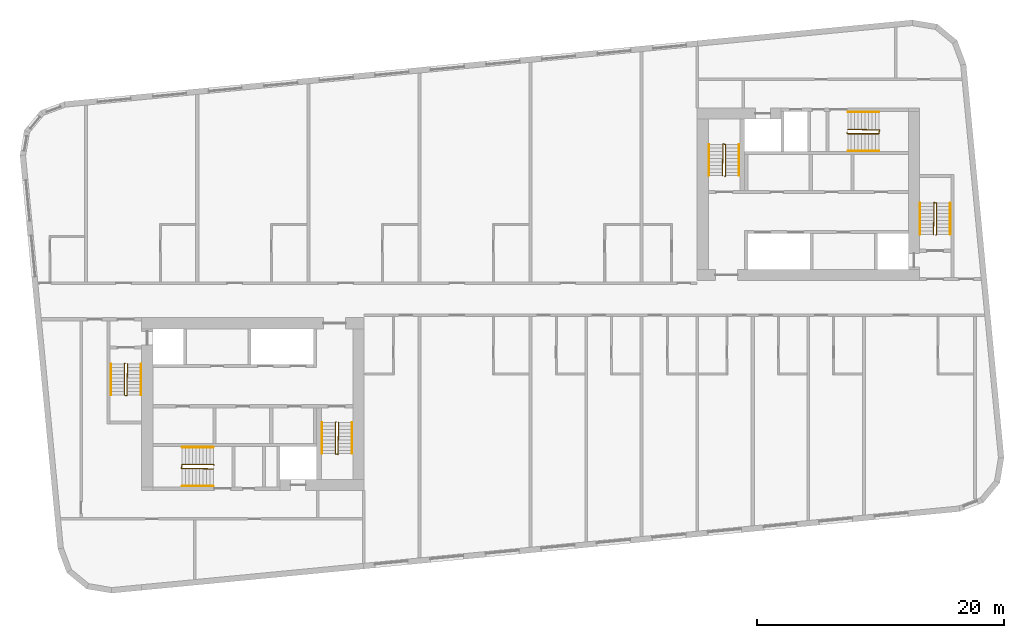
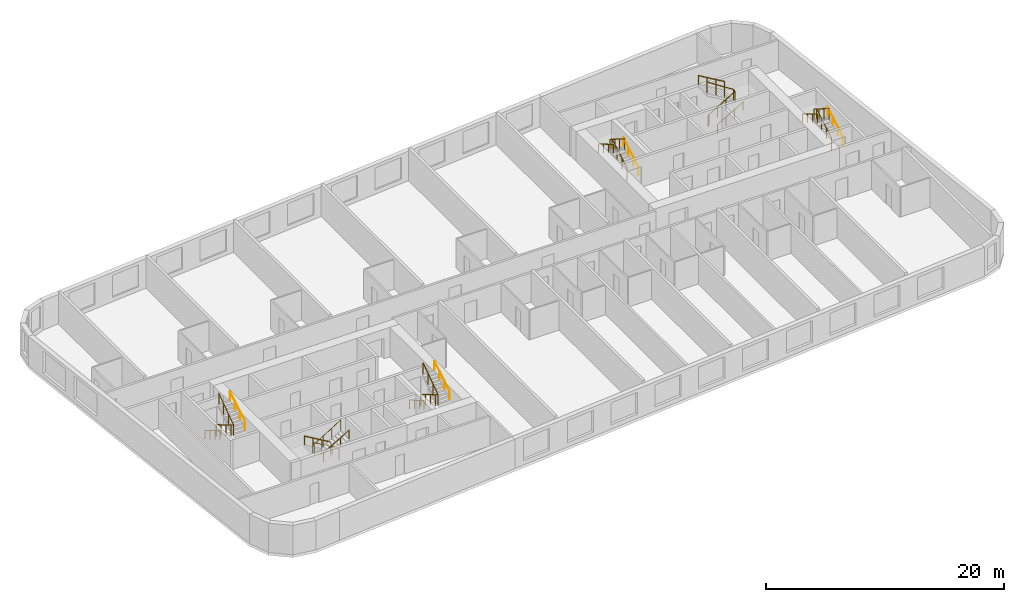
# One storey, part 11 of 11: 18 railings.
"""IFC4 building model written with IfcOpenShell, lengths in metres."""

from ifc_helpers import new_model, si_unit, direction, frame, origin, origin_2d, place, context, subcontext, project, spatial, circle, extrude, material, type_object, element, save


model = new_model("IFC4")

# Units and contexts
model_context = context("Model", 3, precision=1e-05, world=origin(), true_north=direction((0.0, 1.0)))
body_context = subcontext(model_context, "Body", "Model", "MODEL_VIEW")
ifc_project = project(units=[si_unit("LENGTHUNIT", "METRE"), si_unit("AREAUNIT", "SQUARE_METRE"), si_unit("VOLUMEUNIT", "CUBIC_METRE"), si_unit("PLANEANGLEUNIT", "RADIAN"), si_unit("MASSUNIT", "GRAM", prefix="KILO")], contexts=[model_context])

# Site, building, storey
site_placement = place(None, origin())
site = spatial("IfcSite", under=ifc_project, at=site_placement, CompositionType="ELEMENT")
building_placement = place(site_placement, origin())
building = spatial("IfcBuilding", under=site, at=building_placement, Name="Kajstack Hotel Tower", CompositionType="ELEMENT")
storey_placement = place(building_placement, frame((0.0, 0.0, 285.0)))
storey = spatial("IfcBuildingStorey", under=building, at=storey_placement, Name="L71", CompositionType="ELEMENT", Elevation=285.0)

# Railings
ifc_material = material(Name="Steel S355J2", Category="steel")
railing_type_1 = type_object("IfcRailingType", Name="Stair guard 1100", PredefinedType="GUARDRAIL", material=ifc_material)
railing_1_placement = place(storey_placement, frame((-32.85009765625, -5.199951171875, 0.0)))
element("IfcRailing", 1, at=railing_1_placement, inside=storey, type_object=railing_type_1, Name="L71 W1 stair guard 1", PredefinedType="GUARDRAIL", context=body_context, shape_type="SweptSolid", body=[
    extrude(circle(Radius=0.02392578125, at=origin_2d()), frame((0.0, 0.0, 1.076171875), z_axis=(-0.277450376394, -0.278810427259, 0.919394384522), x_axis=(0.708833529934, -0.705375805398, 0.0)), (0.0, 0.0, 1.0), 0.179443359375),
    extrude(circle(Radius=0.02392578125, at=origin_2d()), frame((-0.0498046875, -0.050048828125, 1.2412109375), z_axis=(0.0, -0.861560626758, 0.507654692109), x_axis=(1.0, 0.0, 0.0)), (0.0, 0.0, 1.0), 2.925048828125),
    extrude(circle(Radius=0.02392578125, at=origin_2d()), frame((-0.0498046875, -2.570068359375, 2.72607421875), z_axis=(0.970072785993, -0.242814311512, 0.0), x_axis=(0.242814311512, 0.970072785993, 0.0)), (0.0, 0.0, 1.0), 0.2060546875),
    extrude(circle(Radius=0.02392578125, at=origin_2d()), frame((0.150146484375, -2.6201171875, 2.72607421875), z_axis=(0.016384601254, 0.84136925563, 0.540212292087), x_axis=(-0.999810440751, 0.019470042781, 0.0)), (0.0, 0.0, 1.0), 3.0546875),
    extrude(circle(Radius=0.02099609375, at=origin_2d()), origin(), (0.0, 0.0, 1.0), 1.052001953125),
    extrude(circle(Radius=0.02099609375, at=origin_2d()), frame((-0.0498046875, -0.050048828125, 0.1650390625)), (0.0, 0.0, 1.0), 1.052001953125),
    extrude(circle(Radius=0.02099609375, at=origin_2d()), frame((-0.0498046875, -0.89013671875, 0.659912109375)), (0.0, 0.0, 1.0), 1.052001953125),
    extrude(circle(Radius=0.02099609375, at=origin_2d()), frame((-0.0498046875, -1.72998046875, 1.155029296875)), (0.0, 0.0, 1.0), 1.052001953125),
    extrude(circle(Radius=0.02099609375, at=origin_2d()), frame((-0.0498046875, -2.570068359375, 1.64990234375)), (0.0, 0.0, 1.0), 1.052001953125),
    extrude(circle(Radius=0.02099609375, at=origin_2d()), frame((0.150146484375, -2.6201171875, 1.64990234375)), (0.0, 0.0, 1.0), 1.052001953125),
    extrude(circle(Radius=0.02099609375, at=origin_2d()), frame((0.166748046875, -1.763427734375, 2.199951171875)), (0.0, 0.0, 1.0), 1.052001953125),
    extrude(circle(Radius=0.02099609375, at=origin_2d()), frame((0.18359375, -0.90673828125, 2.75)), (0.0, 0.0, 1.0), 1.052001953125),
    extrude(circle(Radius=0.02099609375, at=origin_2d()), frame((0.2001953125, -0.050048828125, 3.300048828125)), (0.0, 0.0, 1.0), 1.052001953125),
])
railing_2_placement = place(storey_placement, frame((-15.75, -9.949951171875, 0.0)))
element("IfcRailing", 2, at=railing_2_placement, inside=storey, type_object=railing_type_1, Name="L71 W2 stair guard 1", PredefinedType="GUARDRAIL", context=body_context, shape_type="SweptSolid", body=[
    extrude(circle(Radius=0.02392578125, at=origin_2d()), frame((0.0, 0.0, 1.076171875), z_axis=(-0.278705021027, -0.278705021027, 0.919046801044), x_axis=(0.707106781187, -0.707106781187, 0.0)), (0.0, 0.0, 1.0), 0.1796875),
    extrude(circle(Radius=0.02392578125, at=origin_2d()), frame((-0.050048828125, -0.050048828125, 1.2412109375), z_axis=(0.0, -0.861560626758, 0.507654692109), x_axis=(1.0, 0.0, 0.0)), (0.0, 0.0, 1.0), 2.925048828125),
    extrude(circle(Radius=0.02392578125, at=origin_2d()), frame((-0.050048828125, -2.570068359375, 2.72607421875), z_axis=(0.970072785993, -0.242814311512, 0.0), x_axis=(0.242814311512, 0.970072785993, 0.0)), (0.0, 0.0, 1.0), 0.2060546875),
    extrude(circle(Radius=0.02392578125, at=origin_2d()), frame((0.14990234375, -2.6201171875, 2.72607421875), z_axis=(0.016384601254, 0.84136925563, 0.540212292087), x_axis=(-0.999810440751, 0.019470042781, 0.0)), (0.0, 0.0, 1.0), 3.0546875),
    extrude(circle(Radius=0.02099609375, at=origin_2d()), origin(), (0.0, 0.0, 1.0), 1.052001953125),
    extrude(circle(Radius=0.02099609375, at=origin_2d()), frame((-0.050048828125, -0.050048828125, 0.1650390625)), (0.0, 0.0, 1.0), 1.052001953125),
    extrude(circle(Radius=0.02099609375, at=origin_2d()), frame((-0.050048828125, -0.89013671875, 0.659912109375)), (0.0, 0.0, 1.0), 1.052001953125),
    extrude(circle(Radius=0.02099609375, at=origin_2d()), frame((-0.050048828125, -1.72998046875, 1.155029296875)), (0.0, 0.0, 1.0), 1.052001953125),
    extrude(circle(Radius=0.02099609375, at=origin_2d()), frame((-0.050048828125, -2.570068359375, 1.64990234375)), (0.0, 0.0, 1.0), 1.052001953125),
    extrude(circle(Radius=0.02099609375, at=origin_2d()), frame((0.14990234375, -2.6201171875, 1.64990234375)), (0.0, 0.0, 1.0), 1.052001953125),
    extrude(circle(Radius=0.02099609375, at=origin_2d()), frame((0.16650390625, -1.763427734375, 2.199951171875)), (0.0, 0.0, 1.0), 1.052001953125),
    extrude(circle(Radius=0.02099609375, at=origin_2d()), frame((0.183349609375, -0.90673828125, 2.75)), (0.0, 0.0, 1.0), 1.052001953125),
    extrude(circle(Radius=0.02099609375, at=origin_2d()), frame((0.199951171875, -0.050048828125, 3.300048828125)), (0.0, 0.0, 1.0), 1.052001953125),
])
railing_3_placement = place(storey_placement, frame((-25.64990234375, -13.449951171875, 0.0)))
element("IfcRailing", 3, at=railing_3_placement, inside=storey, type_object=railing_type_1, Name="L71 W3 stair guard 1", PredefinedType="GUARDRAIL", context=body_context, shape_type="SweptSolid", body=[
    extrude(circle(Radius=0.02392578125, at=origin_2d()), frame((0.0, 0.0, 1.076171875), z_axis=(-0.278705021027, 0.278705021027, 0.919046801044), x_axis=(-0.707106781187, -0.707106781187, 0.0)), (0.0, 0.0, 1.0), 0.1796875),
    extrude(circle(Radius=0.02392578125, at=origin_2d()), frame((-0.050048828125, 0.050048828125, 1.2412109375), z_axis=(-0.861560626758, 0.0, 0.507654692109), x_axis=(0.0, -1.0, 0.0)), (0.0, 0.0, 1.0), 2.925048828125),
    extrude(circle(Radius=0.02392578125, at=origin_2d()), frame((-2.570068359375, 0.050048828125, 2.72607421875), z_axis=(-0.164529134168, -0.986372223864, 0.0), x_axis=(0.986372223864, -0.164529134168, 0.0)), (0.0, 0.0, 1.0), 0.30419921875),
    extrude(circle(Radius=0.02392578125, at=origin_2d()), frame((-2.6201171875, -0.25, 2.72607421875), z_axis=(0.84136925563, -0.016384601254, 0.540212292087), x_axis=(0.019470042781, 0.999810440751, 0.0)), (0.0, 0.0, 1.0), 3.0546875),
    extrude(circle(Radius=0.02099609375, at=origin_2d()), origin(), (0.0, 0.0, 1.0), 1.052001953125),
    extrude(circle(Radius=0.02099609375, at=origin_2d()), frame((-0.050048828125, 0.050048828125, 0.1650390625)), (0.0, 0.0, 1.0), 1.052001953125),
    extrude(circle(Radius=0.02099609375, at=origin_2d()), frame((-0.89013671875, 0.050048828125, 0.659912109375)), (0.0, 0.0, 1.0), 1.052001953125),
    extrude(circle(Radius=0.02099609375, at=origin_2d()), frame((-1.72998046875, 0.050048828125, 1.155029296875)), (0.0, 0.0, 1.0), 1.052001953125),
    extrude(circle(Radius=0.02099609375, at=origin_2d()), frame((-2.570068359375, 0.050048828125, 1.64990234375)), (0.0, 0.0, 1.0), 1.052001953125),
    extrude(circle(Radius=0.02099609375, at=origin_2d()), frame((-2.6201171875, -0.25, 1.64990234375)), (0.0, 0.0, 1.0), 1.052001953125),
    extrude(circle(Radius=0.02099609375, at=origin_2d()), frame((-1.763427734375, -0.2666015625, 2.199951171875)), (0.0, 0.0, 1.0), 1.052001953125),
    extrude(circle(Radius=0.02099609375, at=origin_2d()), frame((-0.90673828125, -0.283447265625, 2.75)), (0.0, 0.0, 1.0), 1.052001953125),
    extrude(circle(Radius=0.02099609375, at=origin_2d()), frame((-0.050048828125, -0.300048828125, 3.300048828125)), (0.0, 0.0, 1.0), 1.052001953125),
])
railing_4_placement = place(storey_placement, frame((32.85009765625, 5.199951171875, 0.0)))
element("IfcRailing", 4, at=railing_4_placement, inside=storey, type_object=railing_type_1, Name="L71 E1 stair guard 1", PredefinedType="GUARDRAIL", context=body_context, shape_type="SweptSolid", body=[
    extrude(circle(Radius=0.02392578125, at=origin_2d()), frame((0.0, 0.0, 1.076171875), z_axis=(0.277450376394, 0.278810427259, 0.919394384522), x_axis=(-0.708833529934, 0.705375805398, 0.0)), (0.0, 0.0, 1.0), 0.179443359375),
    extrude(circle(Radius=0.02392578125, at=origin_2d()), frame((0.0498046875, 0.050048828125, 1.2412109375), z_axis=(0.0, 0.861560626758, 0.507654692109), x_axis=(-1.0, 0.0, 0.0)), (0.0, 0.0, 1.0), 2.925048828125),
    extrude(circle(Radius=0.02392578125, at=origin_2d()), frame((0.0498046875, 2.570068359375, 2.72607421875), z_axis=(-0.970072785993, 0.242814311512, 0.0), x_axis=(-0.242814311512, -0.970072785993, 0.0)), (0.0, 0.0, 1.0), 0.2060546875),
    extrude(circle(Radius=0.02392578125, at=origin_2d()), frame((-0.150146484375, 2.6201171875, 2.72607421875), z_axis=(-0.016384601254, -0.84136925563, 0.540212292087), x_axis=(0.999810440751, -0.019470042781, 0.0)), (0.0, 0.0, 1.0), 3.0546875),
    extrude(circle(Radius=0.02099609375, at=origin_2d()), origin(), (0.0, 0.0, 1.0), 1.052001953125),
    extrude(circle(Radius=0.02099609375, at=origin_2d()), frame((0.0498046875, 0.050048828125, 0.1650390625)), (0.0, 0.0, 1.0), 1.052001953125),
    extrude(circle(Radius=0.02099609375, at=origin_2d()), frame((0.0498046875, 0.89013671875, 0.659912109375)), (0.0, 0.0, 1.0), 1.052001953125),
    extrude(circle(Radius=0.02099609375, at=origin_2d()), frame((0.0498046875, 1.72998046875, 1.155029296875)), (0.0, 0.0, 1.0), 1.052001953125),
    extrude(circle(Radius=0.02099609375, at=origin_2d()), frame((0.0498046875, 2.570068359375, 1.64990234375)), (0.0, 0.0, 1.0), 1.052001953125),
    extrude(circle(Radius=0.02099609375, at=origin_2d()), frame((-0.150146484375, 2.6201171875, 1.64990234375)), (0.0, 0.0, 1.0), 1.052001953125),
    extrude(circle(Radius=0.02099609375, at=origin_2d()), frame((-0.166748046875, 1.763427734375, 2.199951171875)), (0.0, 0.0, 1.0), 1.052001953125),
    extrude(circle(Radius=0.02099609375, at=origin_2d()), frame((-0.18359375, 0.90673828125, 2.75)), (0.0, 0.0, 1.0), 1.052001953125),
    extrude(circle(Radius=0.02099609375, at=origin_2d()), frame((-0.2001953125, 0.050048828125, 3.300048828125)), (0.0, 0.0, 1.0), 1.052001953125),
])
railing_5_placement = place(storey_placement, frame((15.75, 9.949951171875, 0.0)))
element("IfcRailing", 5, at=railing_5_placement, inside=storey, type_object=railing_type_1, Name="L71 E2 stair guard 1", PredefinedType="GUARDRAIL", context=body_context, shape_type="SweptSolid", body=[
    extrude(circle(Radius=0.02392578125, at=origin_2d()), frame((0.0, 0.0, 1.076171875), z_axis=(0.278705021027, 0.278705021027, 0.919046801044), x_axis=(-0.707106781187, 0.707106781187, 0.0)), (0.0, 0.0, 1.0), 0.1796875),
    extrude(circle(Radius=0.02392578125, at=origin_2d()), frame((0.050048828125, 0.050048828125, 1.2412109375), z_axis=(0.0, 0.861560626758, 0.507654692109), x_axis=(-1.0, 0.0, 0.0)), (0.0, 0.0, 1.0), 2.925048828125),
    extrude(circle(Radius=0.02392578125, at=origin_2d()), frame((0.050048828125, 2.570068359375, 2.72607421875), z_axis=(-0.970072785993, 0.242814311512, 0.0), x_axis=(-0.242814311512, -0.970072785993, 0.0)), (0.0, 0.0, 1.0), 0.2060546875),
    extrude(circle(Radius=0.02392578125, at=origin_2d()), frame((-0.14990234375, 2.6201171875, 2.72607421875), z_axis=(-0.016384601254, -0.84136925563, 0.540212292087), x_axis=(0.999810440751, -0.019470042781, 0.0)), (0.0, 0.0, 1.0), 3.0546875),
    extrude(circle(Radius=0.02099609375, at=origin_2d()), origin(), (0.0, 0.0, 1.0), 1.052001953125),
    extrude(circle(Radius=0.02099609375, at=origin_2d()), frame((0.050048828125, 0.050048828125, 0.1650390625)), (0.0, 0.0, 1.0), 1.052001953125),
    extrude(circle(Radius=0.02099609375, at=origin_2d()), frame((0.050048828125, 0.89013671875, 0.659912109375)), (0.0, 0.0, 1.0), 1.052001953125),
    extrude(circle(Radius=0.02099609375, at=origin_2d()), frame((0.050048828125, 1.72998046875, 1.155029296875)), (0.0, 0.0, 1.0), 1.052001953125),
    extrude(circle(Radius=0.02099609375, at=origin_2d()), frame((0.050048828125, 2.570068359375, 1.64990234375)), (0.0, 0.0, 1.0), 1.052001953125),
    extrude(circle(Radius=0.02099609375, at=origin_2d()), frame((-0.14990234375, 2.6201171875, 1.64990234375)), (0.0, 0.0, 1.0), 1.052001953125),
    extrude(circle(Radius=0.02099609375, at=origin_2d()), frame((-0.16650390625, 1.763427734375, 2.199951171875)), (0.0, 0.0, 1.0), 1.052001953125),
    extrude(circle(Radius=0.02099609375, at=origin_2d()), frame((-0.183349609375, 0.90673828125, 2.75)), (0.0, 0.0, 1.0), 1.052001953125),
    extrude(circle(Radius=0.02099609375, at=origin_2d()), frame((-0.199951171875, 0.050048828125, 3.300048828125)), (0.0, 0.0, 1.0), 1.052001953125),
])
railing_6_placement = place(storey_placement, frame((25.64990234375, 13.449951171875, 0.0)))
element("IfcRailing", 6, at=railing_6_placement, inside=storey, type_object=railing_type_1, Name="L71 E3 stair guard 1", PredefinedType="GUARDRAIL", context=body_context, shape_type="SweptSolid", body=[
    extrude(circle(Radius=0.02392578125, at=origin_2d()), frame((0.0, 0.0, 1.076171875), z_axis=(0.278705021027, -0.278705021027, 0.919046801044), x_axis=(0.707106781187, 0.707106781187, 0.0)), (0.0, 0.0, 1.0), 0.1796875),
    extrude(circle(Radius=0.02392578125, at=origin_2d()), frame((0.050048828125, -0.050048828125, 1.2412109375), z_axis=(0.861560626758, 0.0, 0.507654692109), x_axis=(0.0, 1.0, 0.0)), (0.0, 0.0, 1.0), 2.925048828125),
    extrude(circle(Radius=0.02392578125, at=origin_2d()), frame((2.570068359375, -0.050048828125, 2.72607421875), z_axis=(0.164529134168, 0.986372223864, 0.0), x_axis=(-0.986372223864, 0.164529134168, 0.0)), (0.0, 0.0, 1.0), 0.30419921875),
    extrude(circle(Radius=0.02392578125, at=origin_2d()), frame((2.6201171875, 0.25, 2.72607421875), z_axis=(-0.84136925563, 0.016384601254, 0.540212292087), x_axis=(-0.019470042781, -0.999810440751, 0.0)), (0.0, 0.0, 1.0), 3.0546875),
    extrude(circle(Radius=0.02099609375, at=origin_2d()), origin(), (0.0, 0.0, 1.0), 1.052001953125),
    extrude(circle(Radius=0.02099609375, at=origin_2d()), frame((0.050048828125, -0.050048828125, 0.1650390625)), (0.0, 0.0, 1.0), 1.052001953125),
    extrude(circle(Radius=0.02099609375, at=origin_2d()), frame((0.89013671875, -0.050048828125, 0.659912109375)), (0.0, 0.0, 1.0), 1.052001953125),
    extrude(circle(Radius=0.02099609375, at=origin_2d()), frame((1.72998046875, -0.050048828125, 1.155029296875)), (0.0, 0.0, 1.0), 1.052001953125),
    extrude(circle(Radius=0.02099609375, at=origin_2d()), frame((2.570068359375, -0.050048828125, 1.64990234375)), (0.0, 0.0, 1.0), 1.052001953125),
    extrude(circle(Radius=0.02099609375, at=origin_2d()), frame((2.6201171875, 0.25, 1.64990234375)), (0.0, 0.0, 1.0), 1.052001953125),
    extrude(circle(Radius=0.02099609375, at=origin_2d()), frame((1.763427734375, 0.2666015625, 2.199951171875)), (0.0, 0.0, 1.0), 1.052001953125),
    extrude(circle(Radius=0.02099609375, at=origin_2d()), frame((0.90673828125, 0.283447265625, 2.75)), (0.0, 0.0, 1.0), 1.052001953125),
    extrude(circle(Radius=0.02099609375, at=origin_2d()), frame((0.050048828125, 0.300048828125, 3.300048828125)), (0.0, 0.0, 1.0), 1.052001953125),
])
railing_type_2 = type_object("IfcRailingType", Name="Stair handrail 900", PredefinedType="HANDRAIL", material=ifc_material)
railing_7_placement = place(storey_placement, frame((-34.0, -5.25, 0.1650390625)))
element("IfcRailing", 7, at=railing_7_placement, inside=storey, type_object=railing_type_2, Name="L71 W1 stair handrail 1", PredefinedType="HANDRAIL", context=body_context, shape_type="SweptSolid", body=[
    extrude(circle(Radius=0.02392578125, at=origin_2d()), frame((0.0, 0.0, 0.8759765625), z_axis=(0.0, -0.861560626758, 0.507654692109), x_axis=(1.0, 0.0, 0.0)), (0.0, 0.0, 1.0), 2.925048828125),
    extrude(circle(Radius=0.02099609375, at=origin_2d()), origin(), (0.0, 0.0, 1.0), 0.851806640625),
    extrude(circle(Radius=0.02099609375, at=origin_2d()), frame((0.0, -0.840087890625, 0.494873046875)), (0.0, 0.0, 1.0), 0.851806640625),
    extrude(circle(Radius=0.02099609375, at=origin_2d()), frame((0.0, -1.679931640625, 0.989990234375)), (0.0, 0.0, 1.0), 0.851806640625),
    extrude(circle(Radius=0.02099609375, at=origin_2d()), frame((0.0, -2.52001953125, 1.48486328125)), (0.0, 0.0, 1.0), 0.851806640625),
])
railing_8_placement = place(storey_placement, frame((-31.550048828125, -7.77001953125, 1.81494140625)))
element("IfcRailing", 8, at=railing_8_placement, inside=storey, type_object=railing_type_2, Name="L71 W1 stair handrail 2", PredefinedType="HANDRAIL", context=body_context, shape_type="SweptSolid", body=[
    extrude(circle(Radius=0.02392578125, at=origin_2d()), frame((0.0, 0.0, 0.8759765625), z_axis=(0.0, 0.86152411907, 0.507716645641), x_axis=(-1.0, 0.0, 0.0)), (0.0, 0.0, 1.0), 2.925048828125),
    extrude(circle(Radius=0.02099609375, at=origin_2d()), origin(), (0.0, 0.0, 1.0), 0.851806640625),
    extrude(circle(Radius=0.02099609375, at=origin_2d()), frame((0.0, 0.840087890625, 0.4951171875)), (0.0, 0.0, 1.0), 0.851806640625),
    extrude(circle(Radius=0.02099609375, at=origin_2d()), frame((0.0, 1.679931640625, 0.989990234375)), (0.0, 0.0, 1.0), 0.851806640625),
    extrude(circle(Radius=0.02099609375, at=origin_2d()), frame((0.0, 2.52001953125, 1.485107421875)), (0.0, 0.0, 1.0), 0.851806640625),
])
railing_9_placement = place(storey_placement, frame((-16.89990234375, -10.0, 0.1650390625)))
element("IfcRailing", 9, at=railing_9_placement, inside=storey, type_object=railing_type_2, Name="L71 W2 stair handrail 1", PredefinedType="HANDRAIL", context=body_context, shape_type="SweptSolid", body=[
    extrude(circle(Radius=0.02392578125, at=origin_2d()), frame((0.0, 0.0, 0.8759765625), z_axis=(0.0, -0.861560626758, 0.507654692109), x_axis=(1.0, 0.0, 0.0)), (0.0, 0.0, 1.0), 2.925048828125),
    extrude(circle(Radius=0.02099609375, at=origin_2d()), origin(), (0.0, 0.0, 1.0), 0.851806640625),
    extrude(circle(Radius=0.02099609375, at=origin_2d()), frame((0.0, -0.840087890625, 0.494873046875)), (0.0, 0.0, 1.0), 0.851806640625),
    extrude(circle(Radius=0.02099609375, at=origin_2d()), frame((0.0, -1.679931640625, 0.989990234375)), (0.0, 0.0, 1.0), 0.851806640625),
    extrude(circle(Radius=0.02099609375, at=origin_2d()), frame((0.0, -2.52001953125, 1.48486328125)), (0.0, 0.0, 1.0), 0.851806640625),
])
railing_10_placement = place(storey_placement, frame((-14.449951171875, -12.52001953125, 1.81494140625)))
element("IfcRailing", 10, at=railing_10_placement, inside=storey, type_object=railing_type_2, Name="L71 W2 stair handrail 2", PredefinedType="HANDRAIL", context=body_context, shape_type="SweptSolid", body=[
    extrude(circle(Radius=0.02392578125, at=origin_2d()), frame((0.0, 0.0, 0.8759765625), z_axis=(0.0, 0.86152411907, 0.507716645641), x_axis=(-1.0, 0.0, 0.0)), (0.0, 0.0, 1.0), 2.925048828125),
    extrude(circle(Radius=0.02099609375, at=origin_2d()), origin(), (0.0, 0.0, 1.0), 0.851806640625),
    extrude(circle(Radius=0.02099609375, at=origin_2d()), frame((0.0, 0.840087890625, 0.4951171875)), (0.0, 0.0, 1.0), 0.851806640625),
    extrude(circle(Radius=0.02099609375, at=origin_2d()), frame((0.0, 1.679931640625, 0.989990234375)), (0.0, 0.0, 1.0), 0.851806640625),
    extrude(circle(Radius=0.02099609375, at=origin_2d()), frame((0.0, 2.52001953125, 1.485107421875)), (0.0, 0.0, 1.0), 0.851806640625),
])
railing_11_placement = place(storey_placement, frame((-25.699951171875, -12.0, 0.1650390625)))
element("IfcRailing", 11, at=railing_11_placement, inside=storey, type_object=railing_type_2, Name="L71 W3 stair handrail 1", PredefinedType="HANDRAIL", context=body_context, shape_type="SweptSolid", body=[
    extrude(circle(Radius=0.02392578125, at=origin_2d()), frame((0.0, 0.0, 0.8759765625), z_axis=(-0.861560626758, 0.0, 0.507654692109), x_axis=(0.0, -1.0, 0.0)), (0.0, 0.0, 1.0), 2.925048828125),
    extrude(circle(Radius=0.02099609375, at=origin_2d()), origin(), (0.0, 0.0, 1.0), 0.851806640625),
    extrude(circle(Radius=0.02099609375, at=origin_2d()), frame((-0.840087890625, 0.0, 0.494873046875)), (0.0, 0.0, 1.0), 0.851806640625),
    extrude(circle(Radius=0.02099609375, at=origin_2d()), frame((-1.679931640625, 0.0, 0.989990234375)), (0.0, 0.0, 1.0), 0.851806640625),
    extrude(circle(Radius=0.02099609375, at=origin_2d()), frame((-2.52001953125, 0.0, 1.48486328125)), (0.0, 0.0, 1.0), 0.851806640625),
])
railing_12_placement = place(storey_placement, frame((-28.219970703125, -15.14990234375, 1.81494140625)))
element("IfcRailing", 12, at=railing_12_placement, inside=storey, type_object=railing_type_2, Name="L71 W3 stair handrail 2", PredefinedType="HANDRAIL", context=body_context, shape_type="SweptSolid", body=[
    extrude(circle(Radius=0.02392578125, at=origin_2d()), frame((0.0, 0.0, 0.8759765625), z_axis=(0.86152411907, 0.0, 0.507716645641), x_axis=(0.0, 1.0, 0.0)), (0.0, 0.0, 1.0), 2.925048828125),
    extrude(circle(Radius=0.02099609375, at=origin_2d()), origin(), (0.0, 0.0, 1.0), 0.851806640625),
    extrude(circle(Radius=0.02099609375, at=origin_2d()), frame((0.840087890625, 0.0, 0.4951171875)), (0.0, 0.0, 1.0), 0.851806640625),
    extrude(circle(Radius=0.02099609375, at=origin_2d()), frame((1.679931640625, 0.0, 0.989990234375)), (0.0, 0.0, 1.0), 0.851806640625),
    extrude(circle(Radius=0.02099609375, at=origin_2d()), frame((2.52001953125, 0.0, 1.485107421875)), (0.0, 0.0, 1.0), 0.851806640625),
])
railing_13_placement = place(storey_placement, frame((34.0, 5.25, 0.1650390625)))
element("IfcRailing", 13, at=railing_13_placement, inside=storey, type_object=railing_type_2, Name="L71 E1 stair handrail 1", PredefinedType="HANDRAIL", context=body_context, shape_type="SweptSolid", body=[
    extrude(circle(Radius=0.02392578125, at=origin_2d()), frame((0.0, 0.0, 0.8759765625), z_axis=(0.0, 0.861560626758, 0.507654692109), x_axis=(-1.0, 0.0, 0.0)), (0.0, 0.0, 1.0), 2.925048828125),
    extrude(circle(Radius=0.02099609375, at=origin_2d()), origin(), (0.0, 0.0, 1.0), 0.851806640625),
    extrude(circle(Radius=0.02099609375, at=origin_2d()), frame((0.0, 0.840087890625, 0.494873046875)), (0.0, 0.0, 1.0), 0.851806640625),
    extrude(circle(Radius=0.02099609375, at=origin_2d()), frame((0.0, 1.679931640625, 0.989990234375)), (0.0, 0.0, 1.0), 0.851806640625),
    extrude(circle(Radius=0.02099609375, at=origin_2d()), frame((0.0, 2.52001953125, 1.48486328125)), (0.0, 0.0, 1.0), 0.851806640625),
])
railing_14_placement = place(storey_placement, frame((31.550048828125, 7.77001953125, 1.81494140625)))
element("IfcRailing", 14, at=railing_14_placement, inside=storey, type_object=railing_type_2, Name="L71 E1 stair handrail 2", PredefinedType="HANDRAIL", context=body_context, shape_type="SweptSolid", body=[
    extrude(circle(Radius=0.02392578125, at=origin_2d()), frame((0.0, 0.0, 0.8759765625), z_axis=(0.0, -0.86152411907, 0.507716645641), x_axis=(1.0, 0.0, 0.0)), (0.0, 0.0, 1.0), 2.925048828125),
    extrude(circle(Radius=0.02099609375, at=origin_2d()), origin(), (0.0, 0.0, 1.0), 0.851806640625),
    extrude(circle(Radius=0.02099609375, at=origin_2d()), frame((0.0, -0.840087890625, 0.4951171875)), (0.0, 0.0, 1.0), 0.851806640625),
    extrude(circle(Radius=0.02099609375, at=origin_2d()), frame((0.0, -1.679931640625, 0.989990234375)), (0.0, 0.0, 1.0), 0.851806640625),
    extrude(circle(Radius=0.02099609375, at=origin_2d()), frame((0.0, -2.52001953125, 1.485107421875)), (0.0, 0.0, 1.0), 0.851806640625),
])
railing_15_placement = place(storey_placement, frame((16.89990234375, 10.0, 0.1650390625)))
element("IfcRailing", 15, at=railing_15_placement, inside=storey, type_object=railing_type_2, Name="L71 E2 stair handrail 1", PredefinedType="HANDRAIL", context=body_context, shape_type="SweptSolid", body=[
    extrude(circle(Radius=0.02392578125, at=origin_2d()), frame((0.0, 0.0, 0.8759765625), z_axis=(0.0, 0.861560626758, 0.507654692109), x_axis=(-1.0, 0.0, 0.0)), (0.0, 0.0, 1.0), 2.925048828125),
    extrude(circle(Radius=0.02099609375, at=origin_2d()), origin(), (0.0, 0.0, 1.0), 0.851806640625),
    extrude(circle(Radius=0.02099609375, at=origin_2d()), frame((0.0, 0.840087890625, 0.494873046875)), (0.0, 0.0, 1.0), 0.851806640625),
    extrude(circle(Radius=0.02099609375, at=origin_2d()), frame((0.0, 1.679931640625, 0.989990234375)), (0.0, 0.0, 1.0), 0.851806640625),
    extrude(circle(Radius=0.02099609375, at=origin_2d()), frame((0.0, 2.52001953125, 1.48486328125)), (0.0, 0.0, 1.0), 0.851806640625),
])
railing_16_placement = place(storey_placement, frame((14.449951171875, 12.52001953125, 1.81494140625)))
element("IfcRailing", 16, at=railing_16_placement, inside=storey, type_object=railing_type_2, Name="L71 E2 stair handrail 2", PredefinedType="HANDRAIL", context=body_context, shape_type="SweptSolid", body=[
    extrude(circle(Radius=0.02392578125, at=origin_2d()), frame((0.0, 0.0, 0.8759765625), z_axis=(0.0, -0.86152411907, 0.507716645641), x_axis=(1.0, 0.0, 0.0)), (0.0, 0.0, 1.0), 2.925048828125),
    extrude(circle(Radius=0.02099609375, at=origin_2d()), origin(), (0.0, 0.0, 1.0), 0.851806640625),
    extrude(circle(Radius=0.02099609375, at=origin_2d()), frame((0.0, -0.840087890625, 0.4951171875)), (0.0, 0.0, 1.0), 0.851806640625),
    extrude(circle(Radius=0.02099609375, at=origin_2d()), frame((0.0, -1.679931640625, 0.989990234375)), (0.0, 0.0, 1.0), 0.851806640625),
    extrude(circle(Radius=0.02099609375, at=origin_2d()), frame((0.0, -2.52001953125, 1.485107421875)), (0.0, 0.0, 1.0), 0.851806640625),
])
railing_17_placement = place(storey_placement, frame((25.699951171875, 12.0, 0.1650390625)))
element("IfcRailing", 17, at=railing_17_placement, inside=storey, type_object=railing_type_2, Name="L71 E3 stair handrail 1", PredefinedType="HANDRAIL", context=body_context, shape_type="SweptSolid", body=[
    extrude(circle(Radius=0.02392578125, at=origin_2d()), frame((0.0, 0.0, 0.8759765625), z_axis=(0.861560626758, 0.0, 0.507654692109), x_axis=(0.0, 1.0, 0.0)), (0.0, 0.0, 1.0), 2.925048828125),
    extrude(circle(Radius=0.02099609375, at=origin_2d()), origin(), (0.0, 0.0, 1.0), 0.851806640625),
    extrude(circle(Radius=0.02099609375, at=origin_2d()), frame((0.840087890625, 0.0, 0.494873046875)), (0.0, 0.0, 1.0), 0.851806640625),
    extrude(circle(Radius=0.02099609375, at=origin_2d()), frame((1.679931640625, 0.0, 0.989990234375)), (0.0, 0.0, 1.0), 0.851806640625),
    extrude(circle(Radius=0.02099609375, at=origin_2d()), frame((2.52001953125, 0.0, 1.48486328125)), (0.0, 0.0, 1.0), 0.851806640625),
])
railing_18_placement = place(storey_placement, frame((28.219970703125, 15.14990234375, 1.81494140625)))
element("IfcRailing", 18, at=railing_18_placement, inside=storey, type_object=railing_type_2, Name="L71 E3 stair handrail 2", PredefinedType="HANDRAIL", context=body_context, shape_type="SweptSolid", body=[
    extrude(circle(Radius=0.02392578125, at=origin_2d()), frame((0.0, 0.0, 0.8759765625), z_axis=(-0.86152411907, 0.0, 0.507716645641), x_axis=(0.0, -1.0, 0.0)), (0.0, 0.0, 1.0), 2.925048828125),
    extrude(circle(Radius=0.02099609375, at=origin_2d()), origin(), (0.0, 0.0, 1.0), 0.851806640625),
    extrude(circle(Radius=0.02099609375, at=origin_2d()), frame((-0.840087890625, 0.0, 0.4951171875)), (0.0, 0.0, 1.0), 0.851806640625),
    extrude(circle(Radius=0.02099609375, at=origin_2d()), frame((-1.679931640625, 0.0, 0.989990234375)), (0.0, 0.0, 1.0), 0.851806640625),
    extrude(circle(Radius=0.02099609375, at=origin_2d()), frame((-2.52001953125, 0.0, 1.485107421875)), (0.0, 0.0, 1.0), 0.851806640625),
])

save(model, "model.ifc")
